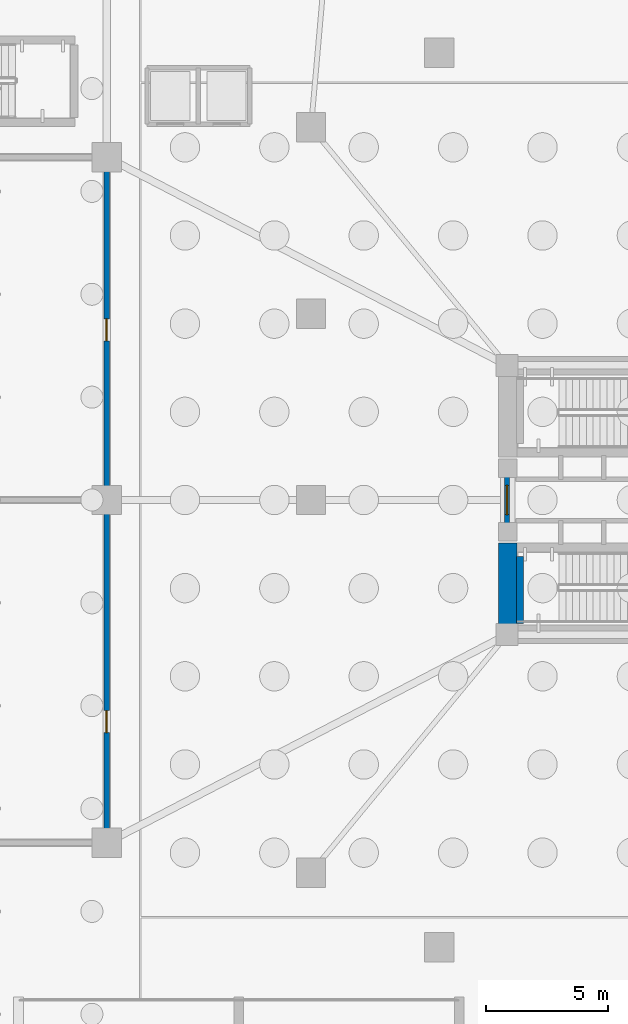
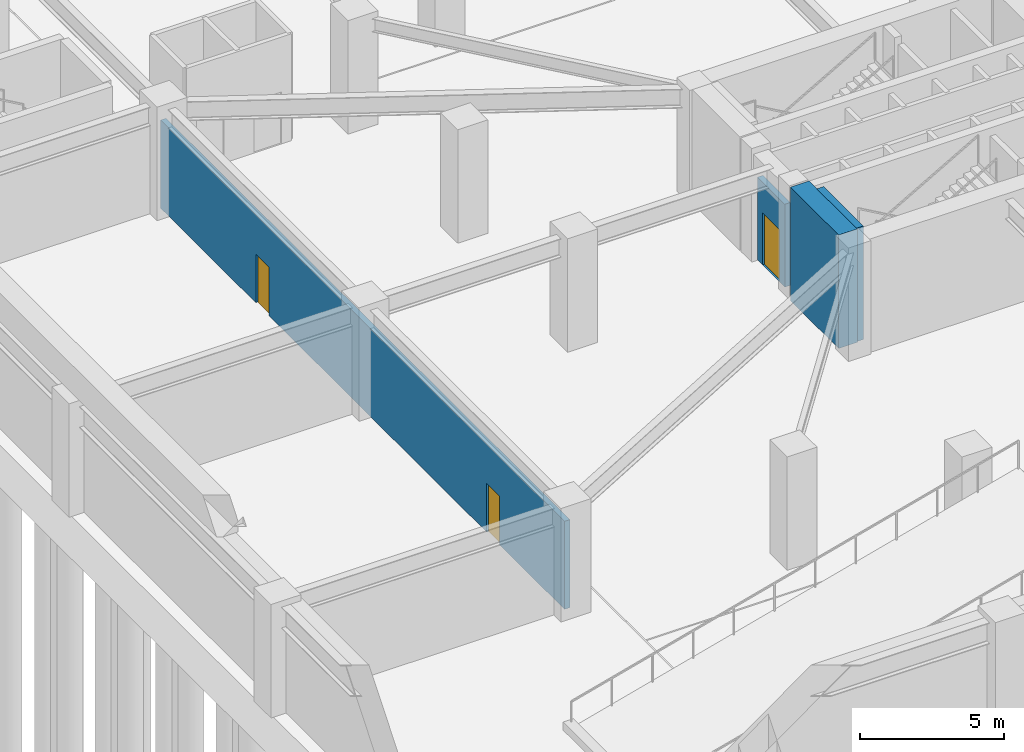
# One storey, part 5 of 14: 4 walls, 3 doors, 3 openings.
"""IFC4 building model written with IfcOpenShell, lengths in metres."""

from ifc_helpers import new_model, si_unit, direction, frame, frame_2d, origin, place, context, subcontext, project, spatial, rectangle, extrude, material, layer, layer_set, type_object, element, fill, save


model = new_model("IFC4")

# Units and contexts
model_context = context("Model", 3, precision=1e-05, world=origin(), true_north=direction((0.0, 1.0)))
body_context = subcontext(model_context, "Body", "Model", "MODEL_VIEW")
ifc_project = project(units=[si_unit("LENGTHUNIT", "METRE"), si_unit("AREAUNIT", "SQUARE_METRE"), si_unit("VOLUMEUNIT", "CUBIC_METRE"), si_unit("PLANEANGLEUNIT", "RADIAN"), si_unit("MASSUNIT", "GRAM", prefix="KILO")], contexts=[model_context])

# Site, building, storey
site_placement = place(None, origin())
site = spatial("IfcSite", under=ifc_project, at=site_placement, CompositionType="ELEMENT")
building_placement = place(site_placement, origin())
building = spatial("IfcBuilding", under=site, at=building_placement, Name="Yunling Apex Tower", CompositionType="ELEMENT")
storey_placement = place(building_placement, frame((0.0, 0.0, -9.60009765625)))
storey = spatial("IfcBuildingStorey", under=building, at=storey_placement, Name="B02", CompositionType="ELEMENT", Elevation=-9.60009765625)

# Walls
ifc_material_1 = material(Name="Concrete C60", Category="concrete")
ifc_layer_1 = layer(ifc_material_1, 0.75)
ifc_layer_set_1 = layer_set([ifc_layer_1], Name="Concrete C60")
wall_type_1 = type_object("IfcWallType", Name="WL-COR-1", PredefinedType="SHEAR", material=ifc_layer_set_1)
wall_1_placement = place(storey_placement, frame((-6.02490234375, -5.10009765625, 0.0), z_axis=(0.0, 0.0, 1.0), x_axis=(0.0, 1.0, 0.0)))
element("IfcWall", 1, at=wall_1_placement, inside=storey, type_object=wall_type_1, Name="B02 West-South Core Shear Wall", PredefinedType="SHEAR", context=body_context, shape_type="SweptSolid", body=[
    extrude(rectangle(XDim=3.35009765625, YDim=0.75, at=frame_2d((1.675048828125, 0.0))), origin(), (0.0, 0.0, 1.0), 4.800048828125),
])
ifc_material_2 = material(Name="Concrete C40", Category="concrete")
ifc_layer_2 = layer(ifc_material_2, 0.280029296875)
ifc_layer_set_2 = layer_set([ifc_layer_2], Name="Concrete C40")
wall_type_2 = type_object("IfcWallType", Name="WL-COR-8", PredefinedType="SHEAR", material=ifc_layer_set_2)
wall_2_placement = place(storey_placement, frame((-5.52001953125, -5.050048828125, 0.0), z_axis=(0.0, 0.0, 1.0), x_axis=(0.0, 1.0, 0.0)))
element("IfcWall", 2, at=wall_2_placement, inside=storey, type_object=wall_type_2, Name="B02 ST-2 West Landing Bearing Wall", PredefinedType="SHEAR", context=body_context, shape_type="SweptSolid", body=[
    extrude(rectangle(XDim=2.75, YDim=0.280029296875, at=frame_2d((1.375, 0.0))), origin(), (0.0, 0.0, 1.0), 4.800048828125),
])

# Wall, opening, door
ifc_material_3 = material(Name="Autoclaved aerated concrete masonry", Category="masonry")
ifc_layer_3 = layer(ifc_material_3, 0.219970703125)
ifc_layer_set_3 = layer_set([ifc_layer_3], Name="Autoclaved aerated concrete masonry")
wall_type_3 = type_object("IfcWallType", Name="WL-SHF-1", PredefinedType="PLUMBINGWALL", material=ifc_layer_set_3)
wall_3_placement = place(storey_placement, frame((-6.050048828125, -0.949951171875, 0.0), z_axis=(0.0, 0.0, 1.0), x_axis=(0.0, 1.0, 0.0)))
wall_3 = element("IfcWall", 3, at=wall_3_placement, inside=storey, type_object=wall_type_3, Name="WL-COR-WPORT-B02", PredefinedType="PLUMBINGWALL", context=body_context, shape_type="SweptSolid", body=[
    extrude(rectangle(XDim=1.89990234375, YDim=0.219970703125, at=frame_2d((0.949951171875, 0.0))), origin(), (0.0, 0.0, 1.0), 3.5),
])
opening_1_placement = place(wall_3_placement, frame((0.35009765625, 0.0, 0.0)))
opening_1 = element("IfcOpeningElement", 4, at=opening_1_placement, cuts=wall_3, Name="Opening DR-FFL-1", PredefinedType="OPENING", context=body_context, shape_type="SweptSolid", body=[
    extrude(rectangle(XDim=1.199951171875, YDim=2.199951171875, at=frame_2d((0.60009765625, 1.10009765625))), frame((0.0, 0.1201171875, 0.0), z_axis=(0.0, -1.0, 0.0), x_axis=(1.0, 0.0, 0.0)), (0.0, 0.0, 1.0), 0.239990234375),
])
ifc_material_4 = material(Name="Steel Q355B", Category="steel")
door_type_1 = type_object("IfcDoorType", Name="DR-FFL-1", OperationType="NOTDEFINED", PredefinedType="DOOR", material=ifc_material_4)
door_1_placement = place(opening_1_placement, origin())
door_1 = element("IfcDoor", 5, at=door_1_placement, inside=storey, type_object=door_type_1, Name="B02 Passenger Lift Lobby Entrance Door", OperationType="SINGLE_SWING_LEFT", OverallHeight=2.199951171875, OverallWidth=1.199951171875, PredefinedType="DOOR", context=body_context, shape_type="SweptSolid", body=[
    extrude(rectangle(XDim=1.199951171875, YDim=2.199951171875, at=frame_2d((0.60009765625, 1.10009765625))), frame((0.0, 0.02490234375, 0.0), z_axis=(0.0, -1.0, 0.0), x_axis=(1.0, 0.0, 0.0)), (0.0, 0.0, 1.0), 0.050048828125),
])
fill(opening_1, door_1)

# Wall, openings, doors
wall_4_placement = place(storey_placement, frame((-22.39990234375, -14.0, 0.0), z_axis=(0.0, 0.0, 1.0), x_axis=(0.0, 1.0, 0.0)))
wall_4 = element("IfcWall", 6, at=wall_4_placement, inside=storey, type_object=wall_type_3, Name="WL-BMEP-E-B02", PredefinedType="PLUMBINGWALL", context=body_context, shape_type="SweptSolid", body=[
    extrude(rectangle(XDim=28.0, YDim=0.219970703125, at=frame_2d((14.0, 0.0))), origin(), (0.0, 0.0, 1.0), 3.72509765625),
])
opening_2_placement = place(wall_4_placement, frame((4.5, 0.0, 0.0)))
opening_2 = element("IfcOpeningElement", 7, at=opening_2_placement, cuts=wall_4, Name="Opening DR-SHF-1", PredefinedType="OPENING", context=body_context, shape_type="SweptSolid", body=[
    extrude(rectangle(XDim=0.89990234375, YDim=2.050048828125, at=frame_2d((0.449951171875, 1.02490234375))), frame((0.0, 0.1201171875, 0.0), z_axis=(0.0, -1.0, 0.0), x_axis=(1.0, 0.0, 0.0)), (0.0, 0.0, 1.0), 0.239990234375),
])
opening_3_placement = place(wall_4_placement, frame((20.5, 0.0, 0.0)))
opening_3 = element("IfcOpeningElement", 8, at=opening_3_placement, cuts=wall_4, Name="Opening DR-SHF-1", PredefinedType="OPENING", context=body_context, shape_type="SweptSolid", body=[
    extrude(rectangle(XDim=0.89990234375, YDim=2.050048828125, at=frame_2d((0.449951171875, 1.02490234375))), frame((0.0, 0.1201171875, 0.0), z_axis=(0.0, -1.0, 0.0), x_axis=(1.0, 0.0, 0.0)), (0.0, 0.0, 1.0), 0.239990234375),
])
door_type_2 = type_object("IfcDoorType", Name="DR-SHF-1", OperationType="NOTDEFINED", PredefinedType="DOOR", material=ifc_material_4)
door_2_placement = place(opening_2_placement, origin())
door_2 = element("IfcDoor", 9, at=door_2_placement, inside=storey, type_object=door_type_2, Name="B02 Central Centrifugal Chiller Plant Room Door", OperationType="SINGLE_SWING_LEFT", OverallHeight=2.050048828125, OverallWidth=0.89990234375, PredefinedType="DOOR", context=body_context, shape_type="SweptSolid", body=[
    extrude(rectangle(XDim=0.89990234375, YDim=2.050048828125, at=frame_2d((0.449951171875, 1.02490234375))), frame((0.0, 0.02490234375, 0.0), z_axis=(0.0, -1.0, 0.0), x_axis=(1.0, 0.0, 0.0)), (0.0, 0.0, 1.0), 0.050048828125),
])
fill(opening_2, door_2)
door_3_placement = place(opening_3_placement, origin())
door_3 = element("IfcDoor", 10, at=door_3_placement, inside=storey, type_object=door_type_2, Name="B02 Fire and Domestic Water Pump Plant Room Door", OperationType="SINGLE_SWING_RIGHT", OverallHeight=2.050048828125, OverallWidth=0.89990234375, PredefinedType="DOOR", context=body_context, shape_type="SweptSolid", body=[
    extrude(rectangle(XDim=0.89990234375, YDim=2.050048828125, at=frame_2d((0.449951171875, 1.02490234375))), frame((0.0, 0.02490234375, 0.0), z_axis=(0.0, -1.0, 0.0), x_axis=(1.0, 0.0, 0.0)), (0.0, 0.0, 1.0), 0.050048828125),
])
fill(opening_3, door_3)

save(model, "model.ifc")
